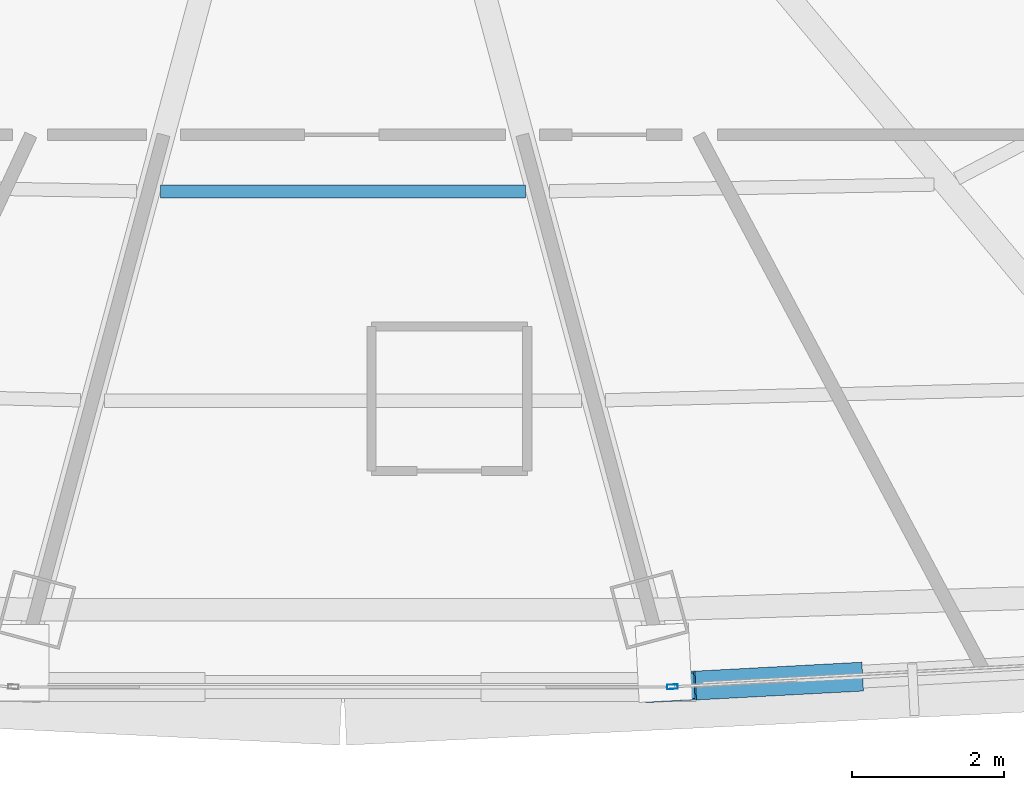
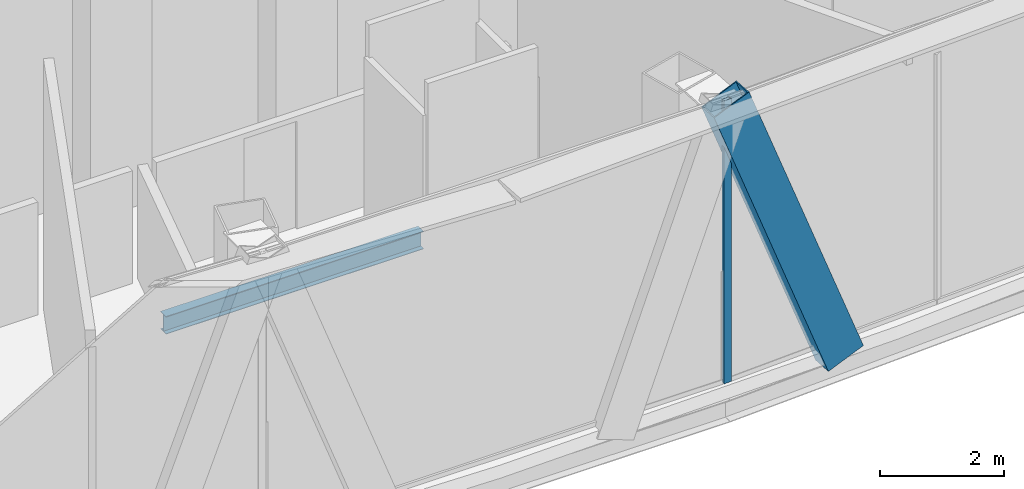
# One storey, part 10 of 38: 2 members, 1 beam, 1 element without a shape of its own.
"""IFC4 building model written with IfcOpenShell, lengths in metres."""

from ifc_helpers import new_model, si_unit, direction, frame, origin, origin_2d, place, context, subcontext, project, spatial, hollow_rectangle, i_section, extrude, source, transform, mapped, material, layer, layer_set, material_profile, profile_set, type_object, element, aggregate, save


model = new_model("IFC4")

# Units and contexts
model_context = context("Model", 3, precision=1e-05, world=origin(), true_north=direction((0.0, 1.0)))
body_context = subcontext(model_context, "Body", "Model", "MODEL_VIEW")
ifc_project = project(units=[si_unit("LENGTHUNIT", "METRE"), si_unit("AREAUNIT", "SQUARE_METRE"), si_unit("VOLUMEUNIT", "CUBIC_METRE"), si_unit("PLANEANGLEUNIT", "RADIAN"), si_unit("MASSUNIT", "GRAM", prefix="KILO"), si_unit("THERMODYNAMICTEMPERATUREUNIT", "KELVIN"), si_unit("POWERUNIT", "WATT")], contexts=[model_context])

# Site, building, storey
site_placement = place(None, origin())
site = spatial("IfcSite", under=ifc_project, at=site_placement, CompositionType="ELEMENT")
building_placement = place(site_placement, origin())
building = spatial("IfcBuilding", under=site, at=building_placement, Name="Yunzhuo Pagoda Commons", CompositionType="ELEMENT")
storey_placement = place(building_placement, frame((0.0, 0.0, 266.909912109375)))
storey = spatial("IfcBuildingStorey", under=building, at=storey_placement, Name="L67", CompositionType="ELEMENT", Elevation=266.909912109375)

# Beam
ifc_material_1 = material(Name="Structural steel Q355B", Category="steel")
ifc_material_profile_1 = material_profile(ifc_material_1, i_section(OverallWidth=0.175048828125, OverallDepth=0.35009765625, WebThickness=0.007080078125, FlangeThickness=0.010986328125, at=origin_2d()), Name="Structural steel Q355B")
ifc_profile_set_1 = profile_set([ifc_material_profile_1], Name="Structural steel Q355B")
beam_type = type_object("IfcBeamType", Name="B-JS2 Joist HN 350x175x7x11", PredefinedType="JOIST", material=ifc_profile_set_1)
shared_shape_1 = source(origin(), body_context, "Body", "SweptSolid", [
    extrude(i_section(OverallWidth=0.175048828125, OverallDepth=0.35009765625, WebThickness=0.007080078125, FlangeThickness=0.010986328125, at=origin_2d()), origin(), (0.0, 0.0, 1.0), 4.796875),
])
beam_placement = place(storey_placement, frame((45.601806640625, 24.155517578125, -0.434814453125), z_axis=(1.0, 0.0, 0.0), x_axis=(0.0, 1.0, 0.0)))
element("IfcBeam", 1, at=beam_placement, inside=storey, type_object=beam_type, Name="L67 composite ring joist 1.2", PredefinedType="JOIST", context=body_context, shape_type="MappedRepresentation", body=[
    mapped(shared_shape_1, transform((0.0, 0.0, 0.0), scale=1.0)),
])

# Member
ifc_material_profile_2 = material_profile(ifc_material_1, hollow_rectangle(XDim=0.3798828125, YDim=0.719970703125, WallThickness=0.02001953125, at=origin_2d()), Name="Structural steel Q355B")
ifc_profile_set_2 = profile_set([ifc_material_profile_2], Name="Structural steel Q355B")
member_type_1 = type_object("IfcMemberType", Name="M-DL3 Brace BOX 720x380x20", PredefinedType="BRACE", material=ifc_profile_set_2)
shared_shape_2 = source(origin(), body_context, "Body", "SweptSolid", [
    extrude(hollow_rectangle(XDim=0.3798828125, YDim=0.719970703125, WallThickness=0.02001953125, at=origin_2d()), origin(), (0.0, 0.0, 1.0), 6.23095703125),
])
member_1_placement = place(storey_placement, frame((54.498046875, 17.757080078125, -0.260009765625), z_axis=(-0.352250222003, -0.018846758263, 0.935716079162), x_axis=(0.053427475341, -0.998571732465, 0.0)))
element("IfcMember", 2, at=member_1_placement, inside=storey, type_object=member_type_1, Name="L67 facade diamond brace F1.3L", PredefinedType="BRACE", context=body_context, shape_type="MappedRepresentation", body=[
    mapped(shared_shape_2, transform((0.0, 0.0, 0.0), scale=1.0)),
])

# Curtain wall, member
ifc_material_2 = material(Name="Anodized aluminium 6063-T6", Category="aluminium")
ifc_layer = layer(ifc_material_2, 0.139892578125)
ifc_layer_set = layer_set([ifc_layer], Name="Anodized aluminium 6063-T6")
curtain_wall_type = type_object("IfcCurtainWallType", Name="CW-HI High-Zone Ribbon Curtain Wall", PredefinedType="NOTDEFINED", material=ifc_layer_set)
curtain_wall_placement = place(storey_placement, origin())
curtain_wall = element("IfcCurtainWall", 3, at=curtain_wall_placement, inside=storey, type_object=curtain_wall_type, Name="L67 curtain wall CW-L67-F1B4", PredefinedType="NOTDEFINED")
ifc_material_profile_3 = material_profile(ifc_material_2, hollow_rectangle(XDim=0.06005859375, YDim=0.139892578125, WallThickness=0.00341796875, at=origin_2d()), Name="Anodized aluminium 6063-T6")
ifc_profile_set_3 = profile_set([ifc_material_profile_3], Name="Anodized aluminium 6063-T6")
member_type_2 = type_object("IfcMemberType", Name="CW-HI-M Mullion RHS 140x60x3.5", PredefinedType="MULLION", material=ifc_profile_set_3)
shared_shape_3 = source(origin(), body_context, "Body", "SweptSolid", [
    extrude(hollow_rectangle(XDim=0.06005859375, YDim=0.139892578125, WallThickness=0.00341796875, at=origin_2d()), origin(), (0.0, 0.0, 1.0), 5.5703125),
])
member_2_placement = place(storey_placement, frame((52.333251953125, 17.641357421875, 0.0), z_axis=(0.0, 0.0, 1.0), x_axis=(-0.053427477858, 0.998571732331, 0.0)))
member_2 = element("IfcMember", 4, at=member_2_placement, type_object=member_type_2, Name="CW mullion 1", PredefinedType="MULLION", context=body_context, shape_type="MappedRepresentation", body=[
    mapped(shared_shape_3, transform((0.0, 0.0, 0.0), scale=1.0)),
])
aggregate(curtain_wall, [member_2])

save(model, "model.ifc")
